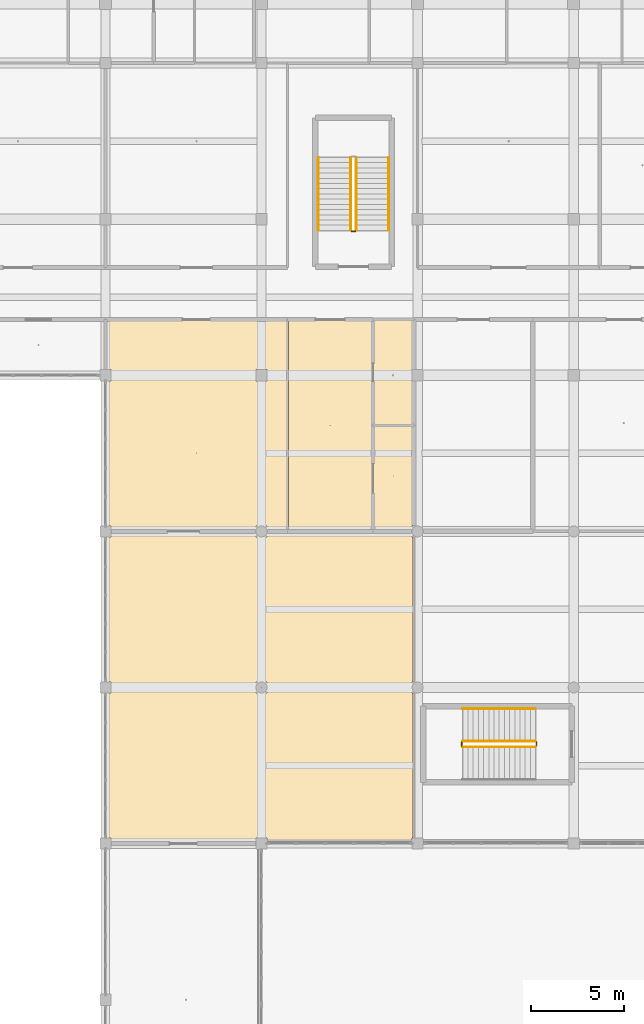
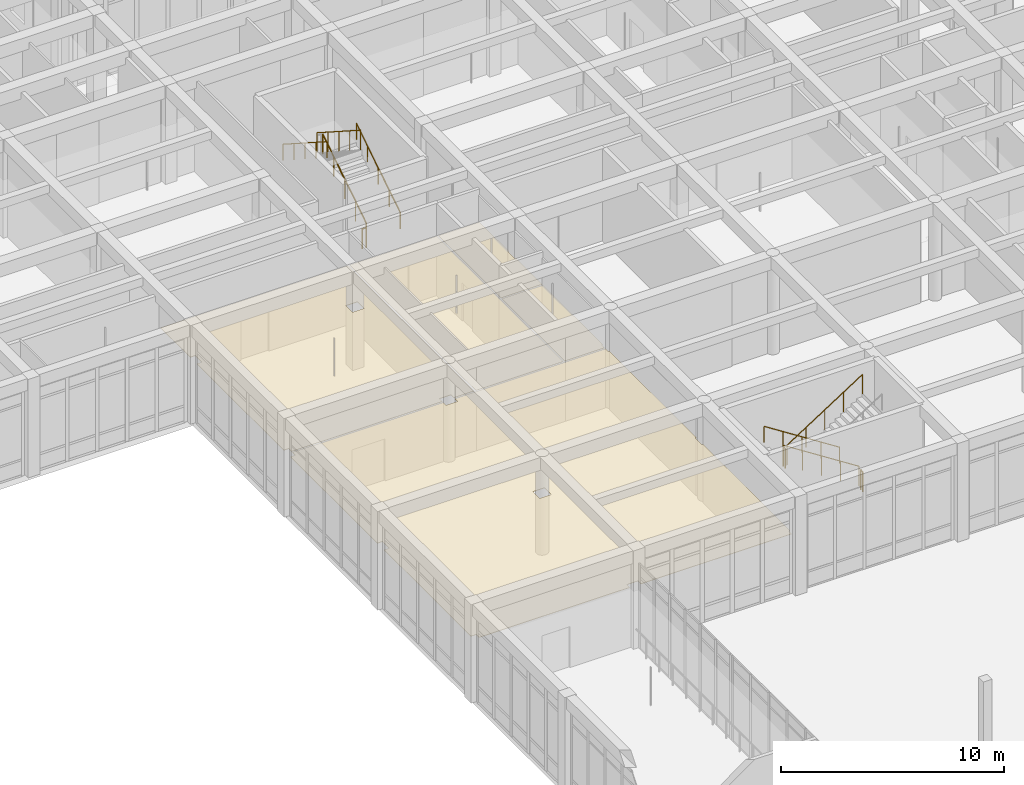
# One storey, part 143 of 157: 10 railings, 5 coverings.
"""IFC4 building model written with IfcOpenShell, lengths in metres."""

from ifc_helpers import new_model, si_unit, direction, frame, origin, origin_2d, place, context, subcontext, project, spatial, polyline, circle, outline, extrude, material, layer, layer_set, type_object, element, save


model = new_model("IFC4")

# Units and contexts
model_context = context("Model", 3, precision=1e-05, world=origin(), true_north=direction((0.0, 1.0)))
body_context = subcontext(model_context, "Body", "Model", "MODEL_VIEW")
ifc_project = project(units=[si_unit("LENGTHUNIT", "METRE"), si_unit("AREAUNIT", "SQUARE_METRE"), si_unit("VOLUMEUNIT", "CUBIC_METRE"), si_unit("PLANEANGLEUNIT", "RADIAN"), si_unit("MASSUNIT", "GRAM", prefix="KILO")], contexts=[model_context])

# Site, building, storey
site_placement = place(None, origin())
site = spatial("IfcSite", under=ifc_project, at=site_placement, CompositionType="ELEMENT")
building_placement = place(site_placement, origin())
building = spatial("IfcBuilding", under=site, at=building_placement, Name="Varncliffe General Hospital", CompositionType="ELEMENT")
storey_placement = place(building_placement, frame((0.0, 0.0, 5.39990234375)))
storey = spatial("IfcBuildingStorey", under=building, at=storey_placement, Name="L01", CompositionType="ELEMENT", Elevation=5.39990234375)

# Coverings
ifc_material_1 = material(Name="Hygienic antimicrobial acoustic suspended ceiling tile", Category="gypsum")
ifc_layer = layer(ifc_material_1, 0.02490234375)
ifc_layer_set = layer_set([ifc_layer], Name="Hygienic antimicrobial acoustic suspended ceiling tile")
covering_type = type_object("IfcCoveringType", Name="Antimicrobial Acoustic Suspended Ceiling CLG44", PredefinedType="CEILING", material=ifc_layer_set)
covering_1_placement = place(storey_placement, frame((0.0, 0.0, 3.175048828125)))
element("IfcCovering", 1, at=covering_1_placement, inside=storey, type_object=covering_type, Name="L01 Winter-Garden Upper Family Lounge Suspended Ceiling", PredefinedType="CEILING", context=body_context, shape_type="SweptSolid", body=[
    extrude(outline(polyline([(59.10009765625, 57.639892578125), (59.10009765625, 57.89990234375), (58.840087890625, 57.89990234375), (58.840087890625, 65.699951171875), (59.10009765625, 65.699951171875), (59.10009765625, 66.300048828125), (58.840087890625, 66.300048828125), (58.840087890625, 74.10009765625), (59.10009765625, 74.10009765625), (59.10009765625, 74.360107421875), (66.89990234375, 74.360107421875), (66.89990234375, 74.10009765625), (67.5, 74.10009765625), (67.5, 74.360107421875), (75.300048828125, 74.360107421875), (75.300048828125, 74.10009765625), (75.360107421875, 74.10009765625), (75.360107421875, 66.300048828125), (75.300048828125, 66.300048828125), (75.300048828125, 65.699951171875), (75.360107421875, 65.699951171875), (75.360107421875, 57.89990234375), (75.300048828125, 57.89990234375), (75.300048828125, 57.639892578125), (67.5, 57.639892578125), (67.5, 57.89990234375), (66.89990234375, 57.89990234375), (66.89990234375, 57.639892578125), (59.10009765625, 57.639892578125)]), holes=[polyline([(67.5, 65.699951171875), (67.5, 66.300048828125), (66.89990234375, 66.300048828125), (66.89990234375, 65.699951171875), (67.5, 65.699951171875)])]), origin(), (0.0, 0.0, 1.0), 0.025146484375),
])
covering_2_placement = place(storey_placement, frame((0.0, 0.0, 3.175048828125)))
element("IfcCovering", 2, at=covering_2_placement, inside=storey, type_object=covering_type, Name="L01 Inpatient Hospital Pharmacy Cleanroom 77 Suspended Ceiling", PredefinedType="CEILING", context=body_context, shape_type="SweptSolid", body=[
    extrude(outline(polyline([(68.56005859375, 74.43994140625), (67.5, 74.43994140625), (67.5, 74.699951171875), (66.89990234375, 74.699951171875), (66.89990234375, 74.43994140625), (59.10009765625, 74.43994140625), (59.10009765625, 74.699951171875), (58.840087890625, 74.699951171875), (58.840087890625, 82.5), (59.10009765625, 82.5), (59.10009765625, 83.10009765625), (58.840087890625, 83.10009765625), (58.840087890625, 85.760009765625), (68.56005859375, 85.760009765625), (68.56005859375, 74.43994140625)]), holes=[polyline([(67.5, 82.5), (67.5, 83.10009765625), (66.89990234375, 83.10009765625), (66.89990234375, 82.5), (67.5, 82.5)])]), origin(), (0.0, 0.0, 1.0), 0.025146484375),
])
covering_3_placement = place(storey_placement, frame((0.0, 0.0, 3.175048828125)))
element("IfcCovering", 3, at=covering_3_placement, inside=storey, type_object=covering_type, Name="L01 Pre-Operative Patient Admission Bay 78 Suspended Ceiling", PredefinedType="CEILING", context=body_context, shape_type="SweptSolid", body=[
    extrude(outline(polyline([(73.159912109375, 74.43994140625), (73.159912109375, 85.760009765625), (68.639892578125, 85.760009765625), (68.639892578125, 74.43994140625), (73.159912109375, 74.43994140625)])), origin(), (0.0, 0.0, 1.0), 0.025146484375),
])
covering_4_placement = place(storey_placement, frame((0.0, 0.0, 3.175048828125)))
element("IfcCovering", 4, at=covering_4_placement, inside=storey, type_object=covering_type, Name="L01 En-Suite Bathroom 79 Suspended Ceiling", PredefinedType="CEILING", context=body_context, shape_type="SweptSolid", body=[
    extrude(outline(polyline([(75.360107421875, 80.139892578125), (73.239990234375, 80.139892578125), (73.239990234375, 85.760009765625), (75.360107421875, 85.760009765625), (75.360107421875, 83.10009765625), (75.300048828125, 83.10009765625), (75.300048828125, 82.5), (75.360107421875, 82.5), (75.360107421875, 80.139892578125)])), origin(), (0.0, 0.0, 1.0), 0.025146484375),
])
covering_5_placement = place(storey_placement, frame((0.0, 0.0, 3.175048828125)))
element("IfcCovering", 5, at=covering_5_placement, inside=storey, type_object=covering_type, Name="L01 Patient Medication and Hygiene Bay 80 Suspended Ceiling", PredefinedType="CEILING", context=body_context, shape_type="SweptSolid", body=[
    extrude(outline(polyline([(73.239990234375, 74.43994140625), (73.239990234375, 80.06005859375), (75.360107421875, 80.06005859375), (75.360107421875, 74.699951171875), (75.300048828125, 74.699951171875), (75.300048828125, 74.43994140625), (73.239990234375, 74.43994140625)])), origin(), (0.0, 0.0, 1.0), 0.025146484375),
])

# Railings
ifc_material_2 = material(Name="Powder-coated hospital steel guardrail and handrail", Category="steel")
railing_type_1 = type_object("IfcRailingType", Name="Stair and Ramp Handrail HR46", PredefinedType="HANDRAIL", material=ifc_material_2)
railing_1_placement = place(storey_placement, frame((74.050048828125, 90.60009765625, 0.364013671875)))
element("IfcRailing", 6, at=railing_1_placement, inside=storey, type_object=railing_type_1, Name="L01 ST12 stair handrail 1", PredefinedType="HANDRAIL", context=body_context, shape_type="SweptSolid", body=[
    extrude(circle(Radius=0.02392578125, at=origin_2d()), frame((0.0, 0.0, 0.8759765625), z_axis=(0.0, 0.841171666519, 0.540768182723), x_axis=(-1.0, 0.0, 0.0)), (0.0, 0.0, 1.0), 4.66015625),
    extrude(circle(Radius=0.02099609375, at=origin_2d()), origin(), (0.0, 0.0, 1.0), 0.851806640625),
    extrude(circle(Radius=0.02099609375, at=origin_2d()), frame((0.0, 0.97998046875, 0.6298828125)), (0.0, 0.0, 1.0), 0.851806640625),
    extrude(circle(Radius=0.02099609375, at=origin_2d()), frame((0.0, 1.9599609375, 1.260009765625)), (0.0, 0.0, 1.0), 0.851806640625),
    extrude(circle(Radius=0.02099609375, at=origin_2d()), frame((0.0, 2.93994140625, 1.89013671875)), (0.0, 0.0, 1.0), 0.851806640625),
    extrude(circle(Radius=0.02099609375, at=origin_2d()), frame((0.0, 3.919921875, 2.52001953125)), (0.0, 0.0, 1.0), 0.851806640625),
])
railing_2_placement = place(storey_placement, frame((70.25, 94.52001953125, 3.064208984375)))
element("IfcRailing", 7, at=railing_2_placement, inside=storey, type_object=railing_type_1, Name="L01 ST12 stair handrail 2", PredefinedType="HANDRAIL", context=body_context, shape_type="SweptSolid", body=[
    extrude(circle(Radius=0.02392578125, at=origin_2d()), frame((0.0, 0.0, 0.8759765625), z_axis=(0.0, -0.84119549742, 0.540731111663), x_axis=(1.0, 0.0, 0.0)), (0.0, 0.0, 1.0), 4.659912109375),
    extrude(circle(Radius=0.02099609375, at=origin_2d()), origin(), (0.0, 0.0, 1.0), 0.851806640625),
    extrude(circle(Radius=0.02099609375, at=origin_2d()), frame((0.0, -0.97998046875, 0.6298828125)), (0.0, 0.0, 1.0), 0.851806640625),
    extrude(circle(Radius=0.02099609375, at=origin_2d()), frame((0.0, -1.9599609375, 1.259765625)), (0.0, 0.0, 1.0), 0.851806640625),
    extrude(circle(Radius=0.02099609375, at=origin_2d()), frame((0.0, -2.93994140625, 1.889892578125)), (0.0, 0.0, 1.0), 0.851806640625),
    extrude(circle(Radius=0.02099609375, at=origin_2d()), frame((0.0, -3.919921875, 2.519775390625)), (0.0, 0.0, 1.0), 0.851806640625),
])
railing_3_placement = place(storey_placement, frame((81.949951171875, 64.85009765625, 0.364013671875)))
element("IfcRailing", 8, at=railing_3_placement, inside=storey, type_object=railing_type_1, Name="L01 ST16 stair handrail 1", PredefinedType="HANDRAIL", context=body_context, shape_type="SweptSolid", body=[
    extrude(circle(Radius=0.02392578125, at=origin_2d()), frame((0.0, 0.0, 0.8759765625), z_axis=(-0.841171666519, 0.0, 0.540768182723), x_axis=(0.0, -1.0, 0.0)), (0.0, 0.0, 1.0), 4.66015625),
    extrude(circle(Radius=0.02099609375, at=origin_2d()), origin(), (0.0, 0.0, 1.0), 0.851806640625),
    extrude(circle(Radius=0.02099609375, at=origin_2d()), frame((-0.97998046875, 0.0, 0.6298828125)), (0.0, 0.0, 1.0), 0.851806640625),
    extrude(circle(Radius=0.02099609375, at=origin_2d()), frame((-1.9599609375, 0.0, 1.260009765625)), (0.0, 0.0, 1.0), 0.851806640625),
    extrude(circle(Radius=0.02099609375, at=origin_2d()), frame((-2.93994140625, 0.0, 1.89013671875)), (0.0, 0.0, 1.0), 0.851806640625),
    extrude(circle(Radius=0.02099609375, at=origin_2d()), frame((-3.919921875, 0.0, 2.52001953125)), (0.0, 0.0, 1.0), 0.851806640625),
])
railing_type_2 = type_object("IfcRailingType", Name="Stairwell Guardrail SG49", PredefinedType="GUARDRAIL", material=ifc_material_2)
railing_4_placement = place(storey_placement, frame((72.300048828125, 90.60009765625, 0.18017578125)))
element("IfcRailing", 9, at=railing_4_placement, inside=storey, type_object=railing_type_2, Name="L01 ST12 stair guard 1", PredefinedType="GUARDRAIL", context=body_context, shape_type="SweptSolid", body=[
    extrude(circle(Radius=0.02392578125, at=origin_2d()), frame((0.0, 0.0, 1.076171875), z_axis=(0.0, 0.841171666519, 0.540768182723), x_axis=(-1.0, 0.0, 0.0)), (0.0, 0.0, 1.0), 4.66015625),
    extrude(circle(Radius=0.02099609375, at=origin_2d()), origin(), (0.0, 0.0, 1.0), 1.052001953125),
    extrude(circle(Radius=0.02099609375, at=origin_2d()), frame((0.0, 0.97998046875, 0.6298828125)), (0.0, 0.0, 1.0), 1.052001953125),
    extrude(circle(Radius=0.02099609375, at=origin_2d()), frame((0.0, 1.9599609375, 1.260009765625)), (0.0, 0.0, 1.0), 1.052001953125),
    extrude(circle(Radius=0.02099609375, at=origin_2d()), frame((0.0, 2.93994140625, 1.89013671875)), (0.0, 0.0, 1.0), 1.052001953125),
    extrude(circle(Radius=0.02099609375, at=origin_2d()), frame((0.0, 3.919921875, 2.52001953125)), (0.0, 0.0, 1.0), 1.052001953125),
])
railing_5_placement = place(storey_placement, frame((72.0, 94.52001953125, 2.880126953125)))
element("IfcRailing", 10, at=railing_5_placement, inside=storey, type_object=railing_type_2, Name="L01 ST12 stair guard 3", PredefinedType="GUARDRAIL", context=body_context, shape_type="SweptSolid", body=[
    extrude(circle(Radius=0.02392578125, at=origin_2d()), frame((0.0, 0.0, 1.076171875), z_axis=(0.0, -0.841171666519, 0.540768182723), x_axis=(1.0, 0.0, 0.0)), (0.0, 0.0, 1.0), 4.66015625),
    extrude(circle(Radius=0.02099609375, at=origin_2d()), origin(), (0.0, 0.0, 1.0), 1.052001953125),
    extrude(circle(Radius=0.02099609375, at=origin_2d()), frame((0.0, -0.97998046875, 0.6298828125)), (0.0, 0.0, 1.0), 1.052001953125),
    extrude(circle(Radius=0.02099609375, at=origin_2d()), frame((0.0, -1.9599609375, 1.260009765625)), (0.0, 0.0, 1.0), 1.052001953125),
    extrude(circle(Radius=0.02099609375, at=origin_2d()), frame((0.0, -2.93994140625, 1.89013671875)), (0.0, 0.0, 1.0), 1.052001953125),
    extrude(circle(Radius=0.02099609375, at=origin_2d()), frame((0.0, -3.919921875, 2.52001953125)), (0.0, 0.0, 1.0), 1.052001953125),
])
railing_6_placement = place(storey_placement, frame((72.25, 90.550048828125, 0.0)))
element("IfcRailing", 11, at=railing_6_placement, inside=storey, type_object=railing_type_2, Name="L01 ST12 stair guard 4", PredefinedType="GUARDRAIL", context=body_context, shape_type="SweptSolid", body=[
    extrude(circle(Radius=0.02392578125, at=origin_2d()), frame((0.0, 0.0, 1.076171875), z_axis=(-1.0, 0.0, 0.0), x_axis=(0.0, -1.0, 0.0)), (0.0, 0.0, 1.0), 0.199951171875),
    extrude(circle(Radius=0.02099609375, at=origin_2d()), origin(), (0.0, 0.0, 1.0), 1.052001953125),
    extrude(circle(Radius=0.02099609375, at=origin_2d()), frame((-0.199951171875, 0.0, 0.0)), (0.0, 0.0, 1.0), 1.052001953125),
])
railing_7_placement = place(storey_placement, frame((81.949951171875, 63.10009765625, 0.18017578125)))
element("IfcRailing", 12, at=railing_7_placement, inside=storey, type_object=railing_type_2, Name="L01 ST16 stair guard 1", PredefinedType="GUARDRAIL", context=body_context, shape_type="SweptSolid", body=[
    extrude(circle(Radius=0.02392578125, at=origin_2d()), frame((0.0, 0.0, 1.076171875), z_axis=(-0.841171666519, 0.0, 0.540768182723), x_axis=(0.0, -1.0, 0.0)), (0.0, 0.0, 1.0), 4.66015625),
    extrude(circle(Radius=0.02099609375, at=origin_2d()), origin(), (0.0, 0.0, 1.0), 1.052001953125),
    extrude(circle(Radius=0.02099609375, at=origin_2d()), frame((-0.97998046875, 0.0, 0.6298828125)), (0.0, 0.0, 1.0), 1.052001953125),
    extrude(circle(Radius=0.02099609375, at=origin_2d()), frame((-1.9599609375, 0.0, 1.260009765625)), (0.0, 0.0, 1.0), 1.052001953125),
    extrude(circle(Radius=0.02099609375, at=origin_2d()), frame((-2.93994140625, 0.0, 1.89013671875)), (0.0, 0.0, 1.0), 1.052001953125),
    extrude(circle(Radius=0.02099609375, at=origin_2d()), frame((-3.919921875, 0.0, 2.52001953125)), (0.0, 0.0, 1.0), 1.052001953125),
])
railing_8_placement = place(storey_placement, frame((77.97998046875, 63.050048828125, 2.7001953125)))
element("IfcRailing", 13, at=railing_8_placement, inside=storey, type_object=railing_type_2, Name="L01 ST16 stair guard 2", PredefinedType="GUARDRAIL", context=body_context, shape_type="SweptSolid", body=[
    extrude(circle(Radius=0.02392578125, at=origin_2d()), frame((0.0, 0.0, 1.076171875), z_axis=(0.0, -1.0, 0.0), x_axis=(1.0, 0.0, 0.0)), (0.0, 0.0, 1.0), 0.199951171875),
    extrude(circle(Radius=0.02099609375, at=origin_2d()), origin(), (0.0, 0.0, 1.0), 1.052001953125),
    extrude(circle(Radius=0.02099609375, at=origin_2d()), frame((0.0, -0.199951171875, 0.0)), (0.0, 0.0, 1.0), 1.052001953125),
])
railing_9_placement = place(storey_placement, frame((78.030029296875, 62.800048828125, 2.880126953125)))
element("IfcRailing", 14, at=railing_9_placement, inside=storey, type_object=railing_type_2, Name="L01 ST16 stair guard 3", PredefinedType="GUARDRAIL", context=body_context, shape_type="SweptSolid", body=[
    extrude(circle(Radius=0.02392578125, at=origin_2d()), frame((0.0, 0.0, 1.076171875), z_axis=(0.841171666519, 0.0, 0.540768182723), x_axis=(0.0, 1.0, 0.0)), (0.0, 0.0, 1.0), 4.66015625),
    extrude(circle(Radius=0.02099609375, at=origin_2d()), origin(), (0.0, 0.0, 1.0), 1.052001953125),
    extrude(circle(Radius=0.02099609375, at=origin_2d()), frame((0.97998046875, 0.0, 0.6298828125)), (0.0, 0.0, 1.0), 1.052001953125),
    extrude(circle(Radius=0.02099609375, at=origin_2d()), frame((1.9599609375, 0.0, 1.260009765625)), (0.0, 0.0, 1.0), 1.052001953125),
    extrude(circle(Radius=0.02099609375, at=origin_2d()), frame((2.93994140625, 0.0, 1.89013671875)), (0.0, 0.0, 1.0), 1.052001953125),
    extrude(circle(Radius=0.02099609375, at=origin_2d()), frame((3.919921875, 0.0, 2.52001953125)), (0.0, 0.0, 1.0), 1.052001953125),
])
railing_10_placement = place(storey_placement, frame((82.0, 63.050048828125, 0.0)))
element("IfcRailing", 15, at=railing_10_placement, inside=storey, type_object=railing_type_2, Name="L01 ST16 stair guard 4", PredefinedType="GUARDRAIL", context=body_context, shape_type="SweptSolid", body=[
    extrude(circle(Radius=0.02392578125, at=origin_2d()), frame((0.0, 0.0, 1.076171875), z_axis=(0.0, -1.0, 0.0), x_axis=(1.0, 0.0, 0.0)), (0.0, 0.0, 1.0), 0.199951171875),
    extrude(circle(Radius=0.02099609375, at=origin_2d()), origin(), (0.0, 0.0, 1.0), 1.052001953125),
    extrude(circle(Radius=0.02099609375, at=origin_2d()), frame((0.0, -0.199951171875, 0.0)), (0.0, 0.0, 1.0), 1.052001953125),
])

save(model, "model.ifc")
